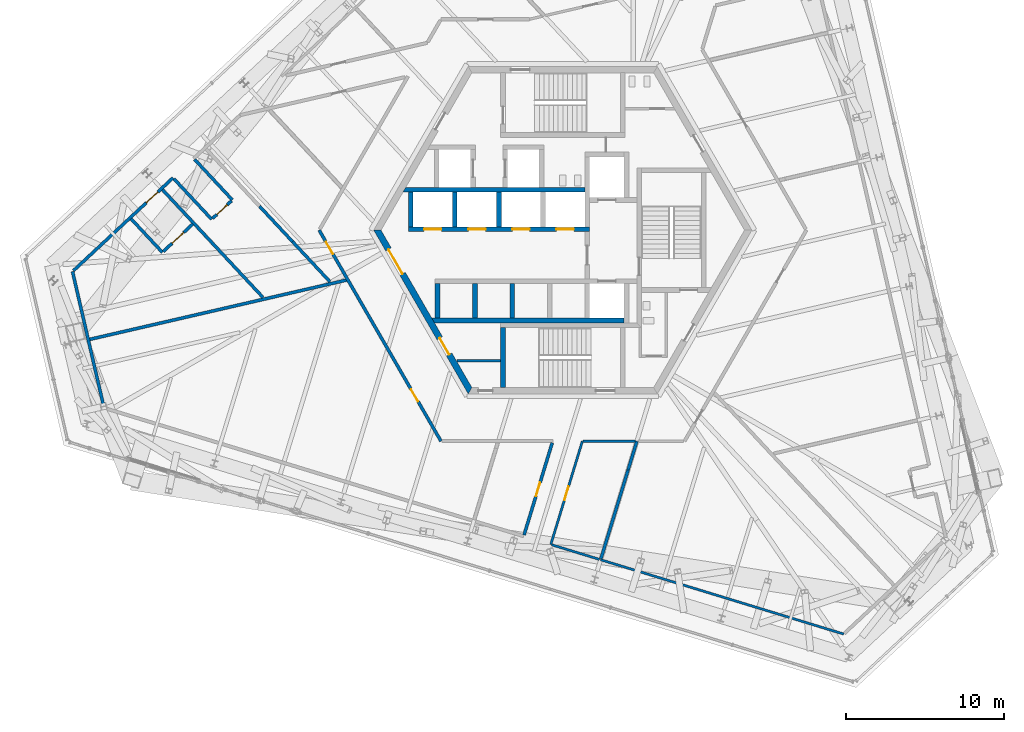
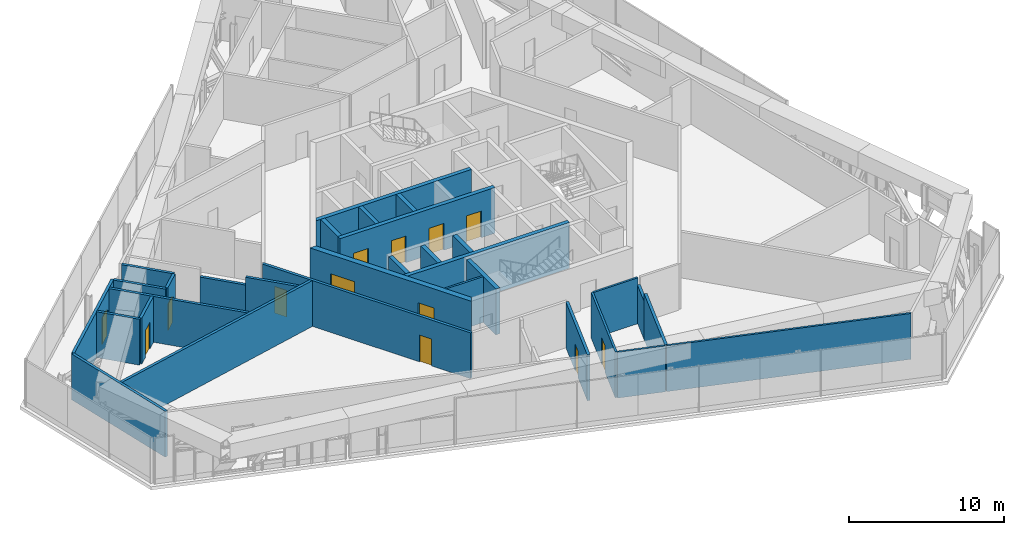
# One storey, part 18 of 31: 31 walls, 13 doors, 13 openings.
"""IFC4 building model written with IfcOpenShell, lengths in metres."""

from ifc_helpers import new_model, si_unit, direction, frame, frame_2d, origin, place, context, subcontext, project, spatial, polyline, rectangle, outline, extrude, source, transform, mapped, material, layer, layer_set, type_object, element, fill, save


model = new_model("IFC4")

# Units and contexts
model_context = context("Model", 3, precision=1e-05, world=origin(), true_north=direction((0.0, 1.0)))
body_context = subcontext(model_context, "Body", "Model", "MODEL_VIEW")
ifc_project = project(units=[si_unit("LENGTHUNIT", "METRE"), si_unit("AREAUNIT", "SQUARE_METRE"), si_unit("VOLUMEUNIT", "CUBIC_METRE"), si_unit("PLANEANGLEUNIT", "RADIAN"), si_unit("MASSUNIT", "GRAM", prefix="KILO")], contexts=[model_context])

# Site, building, storey
site_placement = place(None, origin())
site = spatial("IfcSite", under=ifc_project, at=site_placement, CompositionType="ELEMENT")
building_placement = place(site_placement, origin())
building = spatial("IfcBuilding", under=site, at=building_placement, Name="Triune Harvest Tower", CompositionType="ELEMENT")
storey_placement = place(building_placement, frame((0.0, 0.0, 134.300048828125)))
storey = spatial("IfcBuildingStorey", under=building, at=storey_placement, Name="L34", CompositionType="ELEMENT", Elevation=134.300048828125)

# Wall
ifc_material_1 = material(Name="Concrete masonry unit", Category="masonry")
ifc_layer_1 = layer(ifc_material_1, 0.14990234375)
ifc_layer_set_1 = layer_set([ifc_layer_1], Name="Concrete masonry unit")
wall_type_1 = type_object("IfcWallType", Name="Block partition 150", PredefinedType="PARTITIONING", material=ifc_layer_set_1)
wall_1_placement = place(storey_placement, frame((-6.72705078125, -8.300048828125, 0.0), z_axis=(0.0, 0.0, 1.0), x_axis=(1.0, 0.0, 0.0)))
element("IfcWall", 1, at=wall_1_placement, inside=storey, type_object=wall_type_1, Name="Sw part wall", PredefinedType="PARTITIONING", context=body_context, shape_type="SweptSolid", body=[
    extrude(rectangle(XDim=2.777099609375, YDim=0.14990234375, at=frame_2d((1.388671875, 0.0))), origin(), (0.0, 0.0, 1.0), 3.599853515625),
])

# Wall, openings, doors
ifc_material_2 = material(Name="Concrete 70 MPa", Category="concrete")
ifc_layer_2 = layer(ifc_material_2, 0.300048828125)
ifc_layer_set_2 = layer_set([ifc_layer_2], Name="Concrete 70 MPa")
wall_type_2 = type_object("IfcWallType", Name="Core wall 300", PredefinedType="SHEAR", material=ifc_layer_set_2)
wall_2_placement = place(storey_placement, frame((-9.800048828125, 0.06005859375, 0.0), z_axis=(0.0, 0.0, 1.0), x_axis=(1.0, 0.0, 0.0)))
wall_2 = element("IfcWall", 2, at=wall_2_placement, inside=storey, type_object=wall_type_2, Name="North front wall", PredefinedType="SHEAR", context=body_context, shape_type="SweptSolid", body=[
    extrude(rectangle(XDim=11.5, YDim=0.300048828125, at=frame_2d((5.75, 0.0))), origin(), (0.0, 0.0, 1.0), 3.599853515625),
])
opening_1_placement = place(wall_2_placement, frame((1.0, 0.0, 0.0)))
opening_1 = element("IfcOpeningElement", 3, at=opening_1_placement, cuts=wall_2, Name="Opening LD-LR1-34", PredefinedType="OPENING", context=body_context, shape_type="SweptSolid", body=[
    extrude(rectangle(XDim=1.10009765625, YDim=2.10009765625, at=frame_2d((0.550048828125, 1.050048828125))), frame((0.0, 0.16015625, 0.0), z_axis=(0.0, -1.0, 0.0), x_axis=(1.0, 0.0, 0.0)), (0.0, 0.0, 1.0), 0.320068359375),
])
opening_2_placement = place(wall_2_placement, frame((3.800048828125, 0.0, 0.0)))
opening_2 = element("IfcOpeningElement", 4, at=opening_2_placement, cuts=wall_2, Name="Opening LD-LR2-34", PredefinedType="OPENING", context=body_context, shape_type="SweptSolid", body=[
    extrude(rectangle(XDim=1.10009765625, YDim=2.10009765625, at=frame_2d((0.550048828125, 1.050048828125))), frame((0.0, 0.16015625, 0.0), z_axis=(0.0, -1.0, 0.0), x_axis=(1.0, 0.0, 0.0)), (0.0, 0.0, 1.0), 0.320068359375),
])
opening_3_placement = place(wall_2_placement, frame((6.60009765625, 0.0, 0.0)))
opening_3 = element("IfcOpeningElement", 5, at=opening_3_placement, cuts=wall_2, Name="Opening LD-LR3-34", PredefinedType="OPENING", context=body_context, shape_type="SweptSolid", body=[
    extrude(rectangle(XDim=1.10009765625, YDim=2.10009765625, at=frame_2d((0.550048828125, 1.050048828125))), frame((0.0, 0.16015625, 0.0), z_axis=(0.0, -1.0, 0.0), x_axis=(1.0, 0.0, 0.0)), (0.0, 0.0, 1.0), 0.320068359375),
])
opening_4_placement = place(wall_2_placement, frame((9.39990234375, 0.0, 0.0)))
opening_4 = element("IfcOpeningElement", 6, at=opening_4_placement, cuts=wall_2, Name="Opening LD-LR4-34", PredefinedType="OPENING", context=body_context, shape_type="SweptSolid", body=[
    extrude(rectangle(XDim=1.10009765625, YDim=2.10009765625, at=frame_2d((0.550048828125, 1.050048828125))), frame((0.0, 0.16015625, 0.0), z_axis=(0.0, -1.0, 0.0), x_axis=(1.0, 0.0, 0.0)), (0.0, 0.0, 1.0), 0.320068359375),
])
ifc_material_3 = material(Name="Stainless steel AISI 304", Category="steel")
door_type_1 = type_object("IfcDoorType", Name="Landing door 1100 x 2100", OperationType="DOUBLE_DOOR_SLIDING", PredefinedType="DOOR", material=ifc_material_3)
door_1_placement = place(opening_1_placement, origin())
door_1 = element("IfcDoor", 7, at=door_1_placement, inside=storey, type_object=door_type_1, Name="Door LD-LR1-34", OperationType="DOUBLE_DOOR_SLIDING", OverallHeight=2.10009765625, OverallWidth=1.10009765625, PredefinedType="DOOR", context=body_context, shape_type="SweptSolid", body=[
    extrude(rectangle(XDim=1.10009765625, YDim=2.10009765625, at=frame_2d((0.550048828125, 1.050048828125))), frame((0.0, 0.02490234375, 0.0), z_axis=(0.0, -1.0, 0.0), x_axis=(1.0, 0.0, 0.0)), (0.0, 0.0, 1.0), 0.050048828125),
])
fill(opening_1, door_1)
door_2_placement = place(opening_2_placement, origin())
door_2 = element("IfcDoor", 8, at=door_2_placement, inside=storey, type_object=door_type_1, Name="Door LD-LR2-34", OperationType="DOUBLE_DOOR_SLIDING", OverallHeight=2.10009765625, OverallWidth=1.10009765625, PredefinedType="DOOR", context=body_context, shape_type="SweptSolid", body=[
    extrude(rectangle(XDim=1.10009765625, YDim=2.10009765625, at=frame_2d((0.550048828125, 1.050048828125))), frame((0.0, 0.02490234375, 0.0), z_axis=(0.0, -1.0, 0.0), x_axis=(1.0, 0.0, 0.0)), (0.0, 0.0, 1.0), 0.050048828125),
])
fill(opening_2, door_2)
door_3_placement = place(opening_3_placement, origin())
door_3 = element("IfcDoor", 9, at=door_3_placement, inside=storey, type_object=door_type_1, Name="Door LD-LR3-34", OperationType="DOUBLE_DOOR_SLIDING", OverallHeight=2.10009765625, OverallWidth=1.10009765625, PredefinedType="DOOR", context=body_context, shape_type="SweptSolid", body=[
    extrude(rectangle(XDim=1.10009765625, YDim=2.10009765625, at=frame_2d((0.550048828125, 1.050048828125))), frame((0.0, 0.02490234375, 0.0), z_axis=(0.0, -1.0, 0.0), x_axis=(1.0, 0.0, 0.0)), (0.0, 0.0, 1.0), 0.050048828125),
])
fill(opening_3, door_3)
door_4_placement = place(opening_4_placement, origin())
door_4 = element("IfcDoor", 10, at=door_4_placement, inside=storey, type_object=door_type_1, Name="Door LD-LR4-34", OperationType="DOUBLE_DOOR_SLIDING", OverallHeight=2.10009765625, OverallWidth=1.10009765625, PredefinedType="DOOR", context=body_context, shape_type="SweptSolid", body=[
    extrude(rectangle(XDim=1.10009765625, YDim=2.10009765625, at=frame_2d((0.550048828125, 1.050048828125))), frame((0.0, 0.02490234375, 0.0), z_axis=(0.0, -1.0, 0.0), x_axis=(1.0, 0.0, 0.0)), (0.0, 0.0, 1.0), 0.050048828125),
])
fill(opening_4, door_4)

# Walls
wall_3_placement = place(storey_placement, frame((-9.800048828125, 2.56005859375, 0.0), z_axis=(0.0, 0.0, 1.0), x_axis=(1.0, 0.0, 0.0)))
element("IfcWall", 11, at=wall_3_placement, inside=storey, type_object=wall_type_2, Name="North back wall", PredefinedType="SHEAR", context=body_context, shape_type="SweptSolid", body=[
    extrude(outline(polyline([(11.199951171875, -0.14990234375), (-0.34912109375, -0.14990234375), (-0.17578125, 0.14990234375), (11.199951171875, 0.14990234375), (11.199951171875, -0.14990234375)])), origin(), (0.0, 0.0, 1.0), 3.599853515625),
])
wall_4_placement = place(storey_placement, frame((-8.10009765625, -5.739990234375, 0.0), z_axis=(0.0, 0.0, 1.0), x_axis=(1.0, 0.0, 0.0)))
element("IfcWall", 12, at=wall_4_placement, inside=storey, type_object=wall_type_2, Name="South back wall", PredefinedType="SHEAR", context=body_context, shape_type="SweptSolid", body=[
    extrude(outline(polyline([(12.0, -0.14990234375), (-0.039794921875, -0.14990234375), (-0.212890625, 0.14990234375), (12.0, 0.14990234375), (12.0, -0.14990234375)])), origin(), (0.0, 0.0, 1.0), 3.599853515625),
])
ifc_material_4 = material(Name="Gypsum board on steel studs", Category="steel")
ifc_layer_3 = layer(ifc_material_4, 0.14990234375)
ifc_layer_set_3 = layer_set([ifc_layer_3], Name="Gypsum board on steel studs")
wall_type_3 = type_object("IfcWallType", Name="Fire Partition 150 mm", PredefinedType="PARTITIONING", material=ifc_layer_set_3)
wall_5_placement = place(storey_placement, frame((-0.70263671875, -19.97119140625, 0.0), z_axis=(0.0, 0.0, 1.0), x_axis=(0.956294655626, -0.292404739397, 0.0)))
element("IfcWall", 13, at=wall_5_placement, inside=storey, type_object=wall_type_3, Name="Partition L34 025", PredefinedType="PARTITIONING", context=body_context, shape_type="SweptSolid", body=[
    extrude(rectangle(XDim=3.164306640625, YDim=0.14990234375, at=frame_2d((1.58203125, 0.0))), origin(), (0.0, 0.0, 1.0), 3.599853515625),
])
wall_6_placement = place(storey_placement, frame((2.39990234375, -20.919921875, 0.0), z_axis=(0.0, 0.0, 1.0), x_axis=(0.956307991743, -0.292361120753, 0.0)))
element("IfcWall", 14, at=wall_6_placement, inside=storey, type_object=wall_type_3, Name="Partition L34 026", PredefinedType="PARTITIONING", context=body_context, shape_type="SweptSolid", body=[
    extrude(rectangle(XDim=16.138427734375, YDim=0.14990234375, at=frame_2d((8.0693359375, 0.0))), origin(), (0.0, 0.0, 1.0), 3.599853515625),
])
wall_7_placement = place(storey_placement, frame((1.296142578125, -13.392333984375, 0.0), z_axis=(0.0, 0.0, 1.0), x_axis=(1.0, 0.0, 0.0)))
element("IfcWall", 15, at=wall_7_placement, inside=storey, type_object=wall_type_3, Name="Partition L34 029", PredefinedType="PARTITIONING", context=body_context, shape_type="SweptSolid", body=[
    extrude(rectangle(XDim=3.30517578125, YDim=0.14990234375, at=frame_2d((1.652587890625, 0.0))), origin(), (0.0, 0.0, 1.0), 3.599853515625),
])

# Wall, opening, door
wall_8_placement = place(storey_placement, frame((-0.760009765625, -19.953857421875, 0.0), z_axis=(0.0, 0.0, 1.0), x_axis=(0.292377633753, 0.956302943257, 0.0)))
wall_8 = element("IfcWall", 16, at=wall_8_placement, inside=storey, type_object=wall_type_3, Name="Partition L34 064", PredefinedType="PARTITIONING", context=body_context, shape_type="SweptSolid", body=[
    extrude(rectangle(XDim=6.861328125, YDim=0.14990234375, at=frame_2d((3.4306640625, 0.0))), origin(), (0.0, 0.0, 1.0), 3.599853515625),
])
opening_5_placement = place(wall_8_placement, frame((2.949951171875, 0.0, 0.0)))
opening_5 = element("IfcOpeningElement", 17, at=opening_5_placement, cuts=wall_8, Name="Opening L34-023", PredefinedType="OPENING", context=body_context, shape_type="SweptSolid", body=[
    extrude(rectangle(XDim=0.89990234375, YDim=2.10009765625, at=frame_2d((0.449951171875, 1.050048828125))), frame((0.0, 0.0849609375, 0.0), z_axis=(0.0, -1.0, 0.0), x_axis=(1.0, 0.0, 0.0)), (0.0, 0.0, 1.0), 0.169921875),
])
ifc_material_5 = material(Name="Timber and steel door set", Category="steel")
door_type_2 = type_object("IfcDoorType", Name="Single leaf door FD30 right hand 900 x 2100", OperationType="SINGLE_SWING_RIGHT", PredefinedType="DOOR", material=ifc_material_5)
door_5_placement = place(opening_5_placement, origin())
door_5 = element("IfcDoor", 18, at=door_5_placement, inside=storey, type_object=door_type_2, Name="Door L34-023 Dry Store Room 34.23", OperationType="SINGLE_SWING_RIGHT", OverallHeight=2.10009765625, OverallWidth=0.89990234375, PredefinedType="DOOR", context=body_context, shape_type="SweptSolid", body=[
    extrude(rectangle(XDim=0.89990234375, YDim=2.10009765625, at=frame_2d((0.449951171875, 1.050048828125))), frame((0.0, 0.02490234375, 0.0), z_axis=(0.0, -1.0, 0.0), x_axis=(1.0, 0.0, 0.0)), (0.0, 0.0, 1.0), 0.050048828125),
])
fill(opening_5, door_5)

# Walls
ifc_material_6 = material(Name="Gypsum board on steel studs", Category="steel")
ifc_layer_4 = layer(ifc_material_6, 0.199951171875)
ifc_layer_set_4 = layer_set([ifc_layer_4], Name="Gypsum board on steel studs")
wall_type_4 = type_object("IfcWallType", Name="Fire Wall 200 mm", PredefinedType="PARTITIONING", material=ifc_layer_set_4)
wall_9_placement = place(storey_placement, frame((-31.1201171875, -2.62451171875, 0.0), z_axis=(0.0, 0.0, 1.0), x_axis=(0.224968717026, -0.974365986865, 0.0)))
element("IfcWall", 19, at=wall_9_placement, inside=storey, type_object=wall_type_4, Name="Partition L34 001", PredefinedType="PARTITIONING", context=body_context, shape_type="SweptSolid", body=[
    extrude(rectangle(XDim=8.81640625, YDim=0.199951171875, at=frame_2d((4.408203125, 0.0))), origin(), (0.0, 0.0, 1.0), 3.599853515625),
])
wall_10_placement = place(storey_placement, frame((-27.40869140625, 0.726806640625, 0.0), z_axis=(0.0, 0.0, 1.0), x_axis=(0.6820113534, -0.73134158492, 0.0)))
element("IfcWall", 20, at=wall_10_placement, inside=storey, type_object=wall_type_4, Name="Partition L34 009", PredefinedType="PARTITIONING", context=body_context, shape_type="SweptSolid", body=[
    extrude(rectangle(XDim=2.919921875, YDim=0.199951171875, at=frame_2d((1.4599609375, 0.0))), origin(), (0.0, 0.0, 1.0), 3.599853515625),
])
wall_11_placement = place(storey_placement, frame((-25.473876953125, 2.640380859375, 0.0), z_axis=(0.0, 0.0, 1.0), x_axis=(0.68201220911, -0.731340786929, 0.0)))
element("IfcWall", 21, at=wall_11_placement, inside=storey, type_object=wall_type_4, Name="Partition L34 010", PredefinedType="PARTITIONING", context=body_context, shape_type="SweptSolid", body=[
    extrude(rectangle(XDim=9.438232421875, YDim=0.199951171875, at=frame_2d((4.71923828125, 0.0))), origin(), (0.0, 0.0, 1.0), 3.599853515625),
])
wall_12_placement = place(storey_placement, frame((-19.247802734375, 1.516845703125, 0.0), z_axis=(0.0, 0.0, 1.0), x_axis=(0.682017773855, -0.731335597483, 0.0)))
element("IfcWall", 22, at=wall_12_placement, inside=storey, type_object=wall_type_4, Name="Partition L34 013a", PredefinedType="PARTITIONING", context=body_context, shape_type="SweptSolid", body=[
    extrude(rectangle(XDim=3.0693359375, YDim=0.199951171875, at=frame_2d((1.53466796875, 0.0))), origin(), (0.0, 0.0, 1.0), 2.98779296875),
])
wall_13_placement = place(storey_placement, frame((-17.154541015625, -0.727783203125, 0.0), z_axis=(0.0, 0.0, 1.0), x_axis=(0.681996390656, -0.731355538116, 0.0)))
element("IfcWall", 23, at=wall_13_placement, inside=storey, type_object=wall_type_4, Name="Partition L34 013b", PredefinedType="PARTITIONING", context=body_context, shape_type="SweptSolid", body=[
    extrude(rectangle(XDim=3.487060546875, YDim=0.199951171875, at=frame_2d((1.74365234375, 0.0))), origin(), (0.0, 0.0, 1.0), 3.599853515625),
])

# Wall, opening, door
wall_14_placement = place(storey_placement, frame((-22.228271484375, 0.74462890625, 0.0), z_axis=(0.0, 0.0, 1.0), x_axis=(0.73138686328, 0.681962796802, 0.0)))
wall_14 = element("IfcWall", 24, at=wall_14_placement, inside=storey, type_object=wall_type_4, Name="Partition L34 050", PredefinedType="PARTITIONING", context=body_context, shape_type="SweptSolid", body=[
    extrude(rectangle(XDim=1.639892578125, YDim=0.199951171875, at=frame_2d((0.81982421875, 0.0))), origin(), (0.0, 0.0, 1.0), 3.599853515625),
])
opening_6_placement = place(wall_14_placement, frame((0.3701171875, 0.0, 0.0)))
opening_6 = element("IfcOpeningElement", 25, at=opening_6_placement, cuts=wall_14, Name="Opening L34-018", PredefinedType="OPENING", context=body_context, shape_type="SweptSolid", body=[
    extrude(rectangle(XDim=0.89990234375, YDim=2.10009765625, at=frame_2d((0.449951171875, 1.050048828125))), frame((0.0, 0.10986328125, 0.0), z_axis=(0.0, -1.0, 0.0), x_axis=(1.0, 0.0, 0.0)), (0.0, 0.0, 1.0), 0.219970703125),
])
ifc_material_7 = material(Name="Timber and steel door set", Category="steel")
door_type_3 = type_object("IfcDoorType", Name="Single leaf door FD60 right hand 900 x 2100", OperationType="SINGLE_SWING_RIGHT", PredefinedType="DOOR", material=ifc_material_7)
door_6_placement = place(opening_6_placement, origin())
door_6 = element("IfcDoor", 26, at=door_6_placement, inside=storey, type_object=door_type_3, Name="Door L34-018 Telecom Plant Room 34.18", OperationType="SINGLE_SWING_RIGHT", OverallHeight=2.10009765625, OverallWidth=0.89990234375, PredefinedType="DOOR", context=body_context, shape_type="SweptSolid", body=[
    extrude(rectangle(XDim=0.89990234375, YDim=2.10009765625, at=frame_2d((0.449951171875, 1.050048828125))), frame((0.0, 0.02490234375, 0.0), z_axis=(0.0, -1.0, 0.0), x_axis=(1.0, 0.0, 0.0)), (0.0, 0.0, 1.0), 0.050048828125),
])
fill(opening_6, door_6)

wall_15_placement = place(storey_placement, frame((-25.358642578125, -1.354248046875, 0.0), z_axis=(0.0, 0.0, 1.0), x_axis=(0.731375496572, 0.681974987089, 0.0)))
wall_15 = element("IfcWall", 27, at=wall_15_placement, inside=storey, type_object=wall_type_4, Name="Partition L34 051", PredefinedType="PARTITIONING", context=body_context, shape_type="SweptSolid", body=[
    extrude(rectangle(XDim=2.56005859375, YDim=0.199951171875, at=frame_2d((1.280029296875, 0.0))), origin(), (0.0, 0.0, 1.0), 3.599853515625),
])
opening_7_placement = place(wall_15_placement, frame((0.77001953125, 0.0, 0.0)))
opening_7 = element("IfcOpeningElement", 28, at=opening_7_placement, cuts=wall_15, Name="Opening L34-020", PredefinedType="OPENING", context=body_context, shape_type="SweptSolid", body=[
    extrude(rectangle(XDim=1.0, YDim=2.10009765625, at=frame_2d((0.5, 1.050048828125))), frame((0.0, 0.10986328125, 0.0), z_axis=(0.0, -1.0, 0.0), x_axis=(1.0, 0.0, 0.0)), (0.0, 0.0, 1.0), 0.219970703125),
])
ifc_material_8 = material(Name="Timber and steel door set", Category="steel")
door_type_4 = type_object("IfcDoorType", Name="Wide single leaf door FD60 right hand 1000 x 2100", OperationType="SINGLE_SWING_RIGHT", PredefinedType="DOOR", material=ifc_material_8)
door_7_placement = place(opening_7_placement, origin())
door_7 = element("IfcDoor", 29, at=door_7_placement, inside=storey, type_object=door_type_4, Name="Door L34-020 Refuge Area 34.20", OperationType="SINGLE_SWING_RIGHT", OverallHeight=2.10009765625, OverallWidth=1.0, PredefinedType="DOOR", context=body_context, shape_type="SweptSolid", body=[
    extrude(rectangle(XDim=1.0, YDim=2.10009765625, at=frame_2d((0.5, 1.050048828125))), frame((0.0, 0.02490234375, 0.0), z_axis=(0.0, -1.0, 0.0), x_axis=(1.0, 0.0, 0.0)), (0.0, 0.0, 1.0), 0.050048828125),
])
fill(opening_7, door_7)

wall_16_placement = place(storey_placement, frame((-31.069091796875, -2.5771484375, 0.0), z_axis=(0.0, 0.0, 1.0), x_axis=(0.731354559849, 0.681997439723, 0.0)))
wall_16 = element("IfcWall", 30, at=wall_16_placement, inside=storey, type_object=wall_type_4, Name="Partition L34 054", PredefinedType="PARTITIONING", context=body_context, shape_type="SweptSolid", body=[
    extrude(rectangle(XDim=8.6513671875, YDim=0.199951171875, at=frame_2d((4.32568359375, 0.0))), origin(), (0.0, 0.0, 1.0), 3.599853515625),
])
opening_8_placement = place(wall_16_placement, frame((6.330078125, 0.0, 0.0)))
opening_8 = element("IfcOpeningElement", 31, at=opening_8_placement, cuts=wall_16, Name="Opening L34-026", PredefinedType="OPENING", context=body_context, shape_type="SweptSolid", body=[
    extrude(rectangle(XDim=1.0, YDim=2.10009765625, at=frame_2d((0.5, 1.050048828125))), frame((0.0, 0.10986328125, 0.0), z_axis=(0.0, -1.0, 0.0), x_axis=(1.0, 0.0, 0.0)), (0.0, 0.0, 1.0), 0.219970703125),
])
ifc_material_9 = material(Name="Timber and steel door set", Category="steel")
door_type_5 = type_object("IfcDoorType", Name="Wide single leaf door FD60 left hand 1000 x 2100", OperationType="SINGLE_SWING_LEFT", PredefinedType="DOOR", material=ifc_material_9)
door_8_placement = place(opening_8_placement, origin())
door_8 = element("IfcDoor", 32, at=door_8_placement, inside=storey, type_object=door_type_5, Name="Door L34-026 Refuge Lobby 34.26", OperationType="SINGLE_SWING_LEFT", OverallHeight=2.10009765625, OverallWidth=1.0, PredefinedType="DOOR", context=body_context, shape_type="SweptSolid", body=[
    extrude(rectangle(XDim=1.0, YDim=2.10009765625, at=frame_2d((0.5, 1.050048828125))), frame((0.0, 0.02490234375, 0.0), z_axis=(0.0, -1.0, 0.0), x_axis=(1.0, 0.0, 0.0)), (0.0, 0.0, 1.0), 0.050048828125),
])
fill(opening_8, door_8)

# Walls
wall_17_placement = place(storey_placement, frame((2.420166015625, -20.86328125, 0.0), z_axis=(0.0, 0.0, 1.0), x_axis=(0.29240680116, 0.956294025201, 0.0)))
element("IfcWall", 33, at=wall_17_placement, inside=storey, type_object=wall_type_4, Name="Partition L34 063", PredefinedType="PARTITIONING", context=body_context, shape_type="SweptSolid", body=[
    extrude(rectangle(XDim=5.897216796875, YDim=0.199951171875, at=frame_2d((2.94873046875, 0.0))), origin(), (0.0, 0.0, 1.0), 3.599853515625),
])
wall_18_placement = place(storey_placement, frame((4.14453125, -15.223876953125, 0.0), z_axis=(0.0, 0.0, 1.0), x_axis=(0.292419316803, 0.956290198193, 0.0)))
element("IfcWall", 34, at=wall_18_placement, inside=storey, type_object=wall_type_4, Name="Partition L34 063a", PredefinedType="PARTITIONING", context=body_context, shape_type="SweptSolid", body=[
    extrude(rectangle(XDim=1.915283203125, YDim=0.199951171875, at=frame_2d((0.95751953125, 0.0))), origin(), (0.0, 0.0, 1.0), 2.98779296875),
])

# Wall, opening, door
wall_19_placement = place(storey_placement, frame((-2.4580078125, -19.35107421875, 0.0), z_axis=(0.0, 0.0, 1.0), x_axis=(0.292400928541, 0.956295820857, 0.0)))
wall_19 = element("IfcWall", 35, at=wall_19_placement, inside=storey, type_object=wall_type_4, Name="Partition L34 067", PredefinedType="PARTITIONING", context=body_context, shape_type="SweptSolid", body=[
    extrude(rectangle(XDim=6.12109375, YDim=0.199951171875, at=frame_2d((3.060546875, 0.0))), origin(), (0.0, 0.0, 1.0), 3.599853515625),
])
opening_9_placement = place(wall_19_placement, frame((2.5810546875, 0.0, 0.0)))
opening_9 = element("IfcOpeningElement", 36, at=opening_9_placement, cuts=wall_19, Name="Opening L34-022", PredefinedType="OPENING", context=body_context, shape_type="SweptSolid", body=[
    extrude(rectangle(XDim=0.89990234375, YDim=2.10009765625, at=frame_2d((0.449951171875, 1.050048828125))), frame((0.0, 0.10986328125, 0.0), z_axis=(0.0, -1.0, 0.0), x_axis=(1.0, 0.0, 0.0)), (0.0, 0.0, 1.0), 0.219970703125),
])
ifc_material_10 = material(Name="Timber and steel door set", Category="steel")
door_type_6 = type_object("IfcDoorType", Name="Single leaf door FD60 left hand 900 x 2100", OperationType="SINGLE_SWING_LEFT", PredefinedType="DOOR", material=ifc_material_10)
door_9_placement = place(opening_9_placement, origin())
door_9 = element("IfcDoor", 37, at=door_9_placement, inside=storey, type_object=door_type_6, Name="Door L34-022 Pump Room 34.22", OperationType="SINGLE_SWING_LEFT", OverallHeight=2.10009765625, OverallWidth=0.89990234375, PredefinedType="DOOR", context=body_context, shape_type="SweptSolid", body=[
    extrude(rectangle(XDim=0.89990234375, YDim=2.10009765625, at=frame_2d((0.449951171875, 1.050048828125))), frame((0.0, 0.02490234375, 0.0), z_axis=(0.0, -1.0, 0.0), x_axis=(1.0, 0.0, 0.0)), (0.0, 0.0, 1.0), 0.050048828125),
])
fill(opening_9, door_9)

# Wall, openings, doors
ifc_material_11 = material(Name="Concrete 70 MPa", Category="concrete")
ifc_layer_5 = layer(ifc_material_11, 0.39990234375)
ifc_layer_set_5 = layer_set([ifc_layer_5], Name="Concrete 70 MPa")
wall_type_5 = type_object("IfcWallType", Name="Core wall 400", PredefinedType="SHEAR", material=ifc_layer_set_5)
shared_shape_1 = source(origin(), body_context, "Body", "SweptSolid", [
    extrude(outline(polyline([(-0.115478515625, -0.199951171875), (11.884521484375, -0.199951171875), (11.653564453125, 0.199951171875), (0.115478515625, 0.199951171875), (-0.115478515625, -0.199951171875)])), origin(), (0.0, 0.0, 1.0), 3.599853515625),
])
wall_20_placement = place(storey_placement, frame((-11.76904296875, 0.0, 0.0), z_axis=(0.0, 0.0, 1.0), x_axis=(0.499996592174, -0.866027371285, 0.0)))
wall_20 = element("IfcWall", 38, at=wall_20_placement, inside=storey, type_object=wall_type_5, Name="Hexagon 3 wall", PredefinedType="SHEAR", context=body_context, shape_type="MappedRepresentation", body=[
    mapped(shared_shape_1, transform((0.0, 0.0, 0.0), scale=1.0)),
])
opening_10_placement = place(wall_20_placement, frame((1.404541015625, 0.0, 0.0)))
opening_10 = element("IfcOpeningElement", 39, at=opening_10_placement, cuts=wall_20, Name="Opening CD-LS", PredefinedType="OPENING", context=body_context, shape_type="SweptSolid", body=[
    extrude(rectangle(XDim=1.800048828125, YDim=2.10009765625, at=frame_2d((0.89990234375, 1.050048828125))), frame((0.0, 0.2099609375, 0.0), z_axis=(0.0, -1.0, 0.0), x_axis=(1.0, 0.0, 0.0)), (0.0, 0.0, 1.0), 0.419921875),
])
opening_11_placement = place(wall_20_placement, frame((7.91455078125, 0.0, 0.0)))
opening_11 = element("IfcOpeningElement", 40, at=opening_11_placement, cuts=wall_20, Name="Opening CD-SWP", PredefinedType="OPENING", context=body_context, shape_type="SweptSolid", body=[
    extrude(rectangle(XDim=1.199951171875, YDim=2.10009765625, at=frame_2d((0.60009765625, 1.050048828125))), frame((0.0, 0.2099609375, 0.0), z_axis=(0.0, -1.0, 0.0), x_axis=(1.0, 0.0, 0.0)), (0.0, 0.0, 1.0), 0.419921875),
])
ifc_material_12 = material(Name="Steel S235", Category="steel")
door_type_7 = type_object("IfcDoorType", Name="Lobby door 1800 FD120", OperationType="DOUBLE_DOOR_DOUBLE_SWING", PredefinedType="DOOR", material=ifc_material_12)
door_10_placement = place(opening_10_placement, frame((1.800048828125, 0.0, 0.0), z_axis=(0.0, 0.0, 1.0), x_axis=(-1.0, 0.0, 0.0)))
door_10 = element("IfcDoor", 41, at=door_10_placement, inside=storey, type_object=door_type_7, Name="Door CD-LS", OperationType="DOUBLE_DOOR_DOUBLE_SWING", OverallHeight=2.10009765625, OverallWidth=1.800048828125, PredefinedType="DOOR", context=body_context, shape_type="SweptSolid", body=[
    extrude(rectangle(XDim=1.800048828125, YDim=2.10009765625, at=frame_2d((0.89990234375, 1.050048828125))), frame((0.0, 0.02490234375, 0.0), z_axis=(0.0, -1.0, 0.0), x_axis=(1.0, 0.0, 0.0)), (0.0, 0.0, 1.0), 0.050048828125),
])
fill(opening_10, door_10)
ifc_material_13 = material(Name="Steel S235", Category="steel")
door_type_8 = type_object("IfcDoorType", Name="Service door 1200 FD120", OperationType="SINGLE_SWING_LEFT", PredefinedType="DOOR", material=ifc_material_13)
door_11_placement = place(opening_11_placement, frame((1.199951171875, 0.0, 0.0), z_axis=(0.0, 0.0, 1.0), x_axis=(-1.0, 0.0, 0.0)))
door_11 = element("IfcDoor", 42, at=door_11_placement, inside=storey, type_object=door_type_8, Name="Door CD-SWP", OperationType="SINGLE_SWING_RIGHT", OverallHeight=2.10009765625, OverallWidth=1.199951171875, PredefinedType="DOOR", context=body_context, shape_type="SweptSolid", body=[
    extrude(rectangle(XDim=1.199951171875, YDim=2.10009765625, at=frame_2d((0.60009765625, 1.050048828125))), frame((0.0, 0.02490234375, 0.0), z_axis=(0.0, -1.0, 0.0), x_axis=(1.0, 0.0, 0.0)), (0.0, 0.0, 1.0), 0.050048828125),
])
fill(opening_11, door_11)

# Walls
shared_shape_2 = source(origin(), body_context, "Body", "SweptSolid", [
    extrude(rectangle(XDim=2.2001953125, YDim=0.300048828125, at=frame_2d((1.10009765625, 0.0))), origin(), (0.0, 0.0, 1.0), 3.599853515625),
])
for number, where, z_axis, x_axis, name in (
    (43, (-7.949951171875, -5.590087890625, 0.0), (0.0, 0.0, 1.0), (0.0, 1.0, 0.0), "South end west wall"),
    (44, (-5.574951171875, -5.590087890625, 0.0), (0.0, 0.0, 1.0), (0.0, 1.0, 0.0), "South cross 1 wall"),
    (45, (-3.199951171875, -5.590087890625, 0.0), (0.0, 0.0, 1.0), (0.0, 1.0, 0.0), "South cross 2 wall"),
):
    element("IfcWall", number, at=place(storey_placement, frame(where, z_axis=z_axis, x_axis=x_axis)), inside=storey, type_object=wall_type_2, Name=name, PredefinedType="SHEAR", context=body_context, shape_type="MappedRepresentation", body=[
        mapped(shared_shape_2, transform((0.0, 0.0, 0.0), scale=1.0)),
    ])
shared_shape_3 = source(origin(), body_context, "Body", "SweptSolid", [
    extrude(rectangle(XDim=2.199951171875, YDim=0.300048828125, at=frame_2d((1.10009765625, 0.0))), origin(), (0.0, 0.0, 1.0), 3.599853515625),
])
for number, where, z_axis, x_axis, name in (
    (46, (-9.64990234375, 0.2099609375, 0.0), (0.0, 0.0, 1.0), (0.0, 1.0, 0.0), "North end west wall"),
    (47, (-6.85009765625, 0.2099609375, 0.0), (0.0, 0.0, 1.0), (0.0, 1.0, 0.0), "North cross 1 wall"),
    (48, (-4.050048828125, 0.2099609375, 0.0), (0.0, 0.0, 1.0), (0.0, 1.0, 0.0), "North cross 2 wall"),
):
    element("IfcWall", number, at=place(storey_placement, frame(where, z_axis=z_axis, x_axis=x_axis)), inside=storey, type_object=wall_type_2, Name=name, PredefinedType="SHEAR", context=body_context, shape_type="MappedRepresentation", body=[
        mapped(shared_shape_3, transform((0.0, 0.0, 0.0), scale=1.0)),
    ])
shared_shape_4 = source(origin(), body_context, "Body", "SweptSolid", [
    extrude(outline(polyline([(3.800048828125, -0.14990234375), (-0.00439453125, -0.14990234375), (-0.00439453125, 0.14990234375), (3.800048828125, 0.14990234375), (3.800048828125, -0.14990234375)])), origin(), (0.0, 0.0, 1.0), 3.599853515625),
])
wall_21_placement = place(storey_placement, frame((-3.800048828125, -9.989990234375, 0.0), z_axis=(0.0, 0.0, 1.0), x_axis=(0.0, 1.0, 0.0)))
element("IfcWall", 49, at=wall_21_placement, inside=storey, type_object=wall_type_2, Name="Stair s west wall", PredefinedType="SHEAR", context=body_context, shape_type="MappedRepresentation", body=[
    mapped(shared_shape_4, transform((0.0, 0.0, 0.0), scale=1.0)),
])

# Wall, openings, doors
shared_shape_5 = source(origin(), body_context, "Body", "SweptSolid", [
    extrude(rectangle(XDim=15.464111328125, YDim=0.199951171875, at=frame_2d((7.73193359375, 0.0))), origin(), (0.0, 0.0, 1.0), 3.599853515625),
])
wall_22_placement = place(storey_placement, frame((-15.464111328125, 0.0, 0.0), z_axis=(0.0, 0.0, 1.0), x_axis=(0.500005339912, -0.866022320763, 0.0)))
wall_22 = element("IfcWall", 50, at=wall_22_placement, inside=storey, type_object=wall_type_4, Name="Partition L34 007", PredefinedType="PARTITIONING", context=body_context, shape_type="MappedRepresentation", body=[
    mapped(shared_shape_5, transform((0.0, 0.0, 0.0), scale=1.0)),
])
opening_12_placement = place(wall_22_placement, frame((0.85009765625, 0.0, 0.0)))
opening_12 = element("IfcOpeningElement", 51, at=opening_12_placement, cuts=wall_22, Name="Opening L34-019", PredefinedType="OPENING", context=body_context, shape_type="SweptSolid", body=[
    extrude(rectangle(XDim=0.89990234375, YDim=2.10009765625, at=frame_2d((0.449951171875, 1.050048828125))), frame((0.0, 0.10986328125, 0.0), z_axis=(0.0, -1.0, 0.0), x_axis=(1.0, 0.0, 0.0)), (0.0, 0.0, 1.0), 0.219970703125),
])
opening_13_placement = place(wall_22_placement, frame((11.665283203125, 0.0, 0.0)))
opening_13 = element("IfcOpeningElement", 52, at=opening_13_placement, cuts=wall_22, Name="Opening L34-021", PredefinedType="OPENING", context=body_context, shape_type="SweptSolid", body=[
    extrude(rectangle(XDim=0.89990234375, YDim=2.10009765625, at=frame_2d((0.449951171875, 1.050048828125))), frame((0.0, 0.10986328125, 0.0), z_axis=(0.0, -1.0, 0.0), x_axis=(1.0, 0.0, 0.0)), (0.0, 0.0, 1.0), 0.219970703125),
])
door_12_placement = place(opening_13_placement, origin())
door_12 = element("IfcDoor", 53, at=door_12_placement, inside=storey, type_object=door_type_6, Name="Door L34-021 Chiller Plant Room 34.21", OperationType="SINGLE_SWING_LEFT", OverallHeight=2.10009765625, OverallWidth=0.89990234375, PredefinedType="DOOR", context=body_context, shape_type="SweptSolid", body=[
    extrude(rectangle(XDim=0.89990234375, YDim=2.10009765625, at=frame_2d((0.449951171875, 1.050048828125))), frame((0.0, 0.02490234375, 0.0), z_axis=(0.0, -1.0, 0.0), x_axis=(1.0, 0.0, 0.0)), (0.0, 0.0, 1.0), 0.050048828125),
])
fill(opening_13, door_12)
door_13_placement = place(opening_12_placement, origin())
door_13 = element("IfcDoor", 54, at=door_13_placement, inside=storey, type_object=door_type_3, Name="Door L34-019 Electrical Plant Room 34.19", OperationType="SINGLE_SWING_RIGHT", OverallHeight=2.10009765625, OverallWidth=0.89990234375, PredefinedType="DOOR", context=body_context, shape_type="SweptSolid", body=[
    extrude(rectangle(XDim=0.89990234375, YDim=2.10009765625, at=frame_2d((0.449951171875, 1.050048828125))), frame((0.0, 0.02490234375, 0.0), z_axis=(0.0, -1.0, 0.0), x_axis=(1.0, 0.0, 0.0)), (0.0, 0.0, 1.0), 0.050048828125),
])
fill(opening_12, door_13)

# Walls
shared_shape_6 = source(origin(), body_context, "Body", "SweptSolid", [
    extrude(rectangle(XDim=3.52001953125, YDim=0.199951171875, at=frame_2d((1.760009765625, 0.0))), origin(), (0.0, 0.0, 1.0), 3.599853515625),
])
for number, where, z_axis, x_axis, name in (
    (55, (-24.687255859375, 3.264404296875, 0.0), (0.0, 0.0, 1.0), (0.681947473834, -0.731401150486, 0.0), "Partition L34 011"),
    (56, (-23.370849609375, 4.491943359375, 0.0), (0.0, 0.0, 1.0), (0.681984575167, -0.731366555999, 0.0), "Partition L34 012"),
):
    element("IfcWall", number, at=place(storey_placement, frame(where, z_axis=z_axis, x_axis=x_axis)), inside=storey, type_object=wall_type_4, Name=name, PredefinedType="PARTITIONING", context=body_context, shape_type="MappedRepresentation", body=[
        mapped(shared_shape_6, transform((0.0, 0.0, 0.0), scale=1.0)),
    ])
shared_shape_7 = source(origin(), body_context, "Body", "SweptSolid", [
    extrude(rectangle(XDim=16.90869140625, YDim=0.199951171875, at=frame_2d((8.454345703125, 0.0))), origin(), (0.0, 0.0, 1.0), 3.599853515625),
])
wall_23_placement = place(storey_placement, frame((-30.12060546875, -6.953857421875, 0.0), z_axis=(0.0, 0.0, 1.0), x_axis=(0.97436904617, 0.224955466404, 0.0)))
element("IfcWall", 57, at=wall_23_placement, inside=storey, type_object=wall_type_4, Name="Partition L34 036", PredefinedType="PARTITIONING", context=body_context, shape_type="MappedRepresentation", body=[
    mapped(shared_shape_7, transform((0.0, 0.0, 0.0), scale=1.0)),
])

save(model, "model.ifc")
